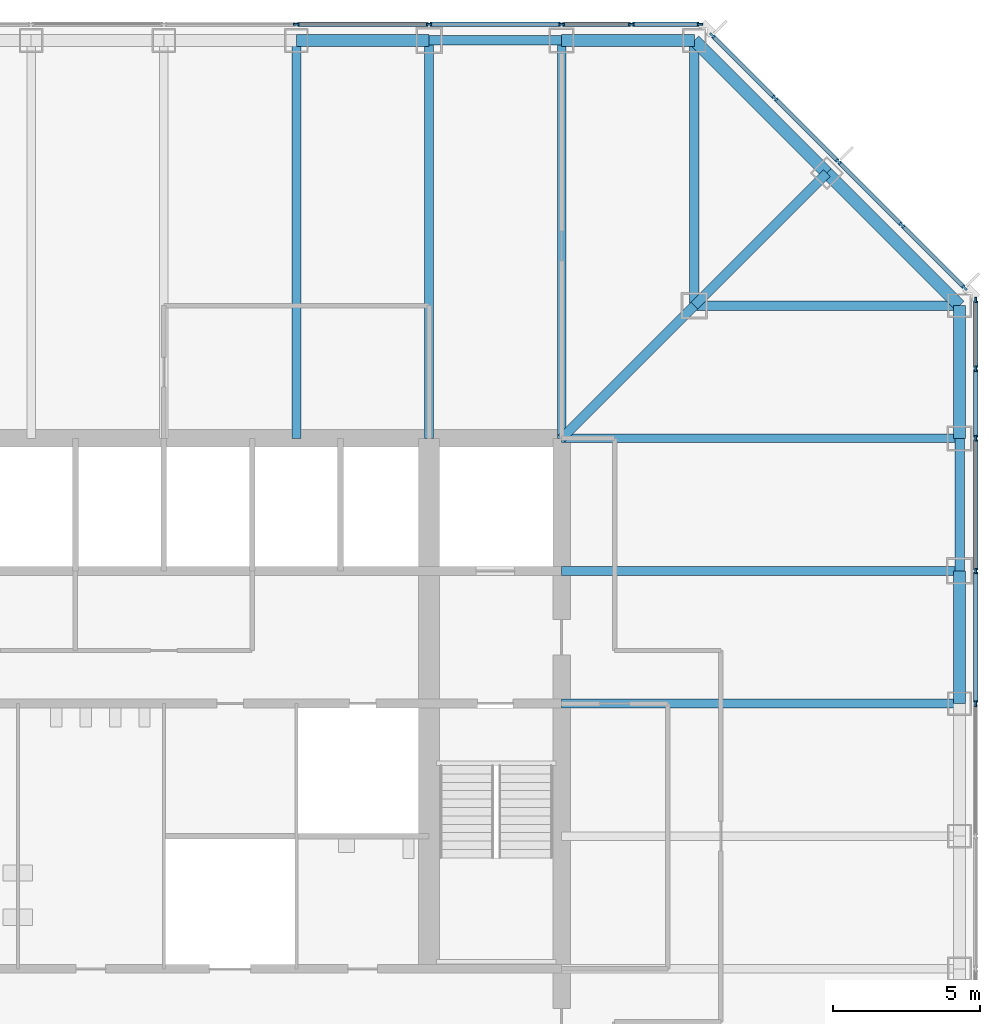
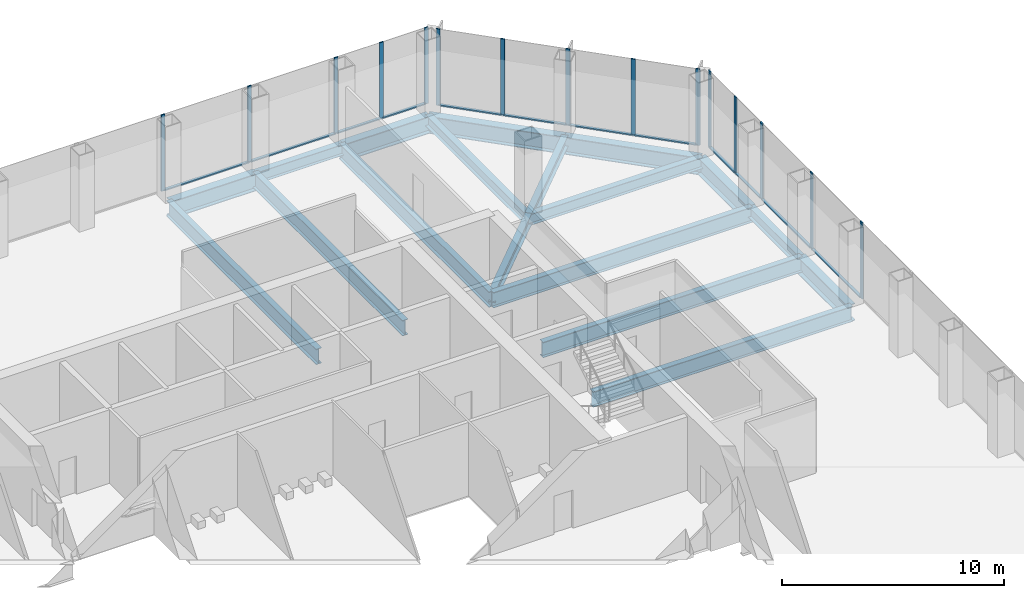
# One storey, part 6 of 13: 27 members, 18 beams, 3 elements without a shape of their own.
"""IFC4 building model written with IfcOpenShell, lengths in metres."""

from ifc_helpers import new_model, si_unit, direction, frame, origin, origin_2d, place, context, subcontext, project, spatial, rectangle, i_section, extrude, material, material_profile, profile_set, type_object, element, aggregate, save


model = new_model("IFC4")

# Units and contexts
model_context = context("Model", 3, precision=1e-05, world=origin(), true_north=direction((0.0, 1.0)))
body_context = subcontext(model_context, "Body", "Model", "MODEL_VIEW")
ifc_project = project(units=[si_unit("LENGTHUNIT", "METRE"), si_unit("AREAUNIT", "SQUARE_METRE"), si_unit("VOLUMEUNIT", "CUBIC_METRE"), si_unit("PLANEANGLEUNIT", "RADIAN"), si_unit("MASSUNIT", "GRAM", prefix="KILO")], contexts=[model_context])

# Site, building, storey
site_placement = place(None, origin())
site = spatial("IfcSite", under=ifc_project, at=site_placement, CompositionType="ELEMENT")
building_placement = place(site_placement, origin())
building = spatial("IfcBuilding", under=site, at=building_placement, Name="Corais Broadcast Tower", CompositionType="ELEMENT")
storey_placement = place(building_placement, frame((0.0, 0.0, 87.800048828125)))
storey = spatial("IfcBuildingStorey", under=building, at=storey_placement, Name="L19", CompositionType="ELEMENT", Elevation=87.800048828125)

# Beams
ifc_material_1 = material(Name="Steel ASTM A572 Grade 50", Category="steel")
ifc_material_profile_1 = material_profile(ifc_material_1, i_section(OverallWidth=0.323974609375, OverallDepth=0.611083984375, WebThickness=0.0126953125, FlangeThickness=0.01904296875, at=origin_2d()), Name="W610x155")
ifc_profile_set_1 = profile_set([ifc_material_profile_1], Name="Steel ASTM A572 Grade 50")
beam_type_1 = type_object("IfcBeamType", Name="Chamfer tie W610x155", PredefinedType="BEAM", material=ifc_profile_set_1)
beam_1_placement = place(storey_placement, frame((49.5, 49.5, -0.465576171875), z_axis=(-0.707106781187, -0.707106781187, 0.0), x_axis=(0.707106781187, -0.707106781187, 0.0)))
element("IfcBeam", 1, at=beam_1_placement, inside=storey, type_object=beam_type_1, Name="B5 M/14 to L/13", PredefinedType="BEAM", context=body_context, shape_type="SweptSolid", body=[
    extrude(i_section(OverallWidth=0.323974609375, OverallDepth=0.611083984375, WebThickness=0.0126953125, FlangeThickness=0.01904296875, at=origin_2d()), origin(), (0.0, 0.0, 1.0), 6.364013671875),
])
ifc_material_2 = material(Name="Steel ASTM A572 Grade 50", Category="steel")
ifc_material_profile_2 = material_profile(ifc_material_2, i_section(OverallWidth=0.323974609375, OverallDepth=0.611083984375, WebThickness=0.0126953125, FlangeThickness=0.01904296875, at=origin_2d()), Name="W610x155")
ifc_profile_set_2 = profile_set([ifc_material_profile_2], Name="Steel ASTM A572 Grade 50")
beam_type_2 = type_object("IfcBeamType", Name="Corner diagonal W610x155", PredefinedType="BEAM", material=ifc_profile_set_2)
beam_2_placement = place(storey_placement, frame((45.0, 45.0, -0.465576171875), z_axis=(-0.707106781187, -0.707106781187, 0.0), x_axis=(0.707106781187, -0.707106781187, 0.0)))
element("IfcBeam", 2, at=beam_2_placement, inside=storey, type_object=beam_type_2, Name="B6 L/13 to K/12", PredefinedType="BEAM", context=body_context, shape_type="SweptSolid", body=[
    extrude(i_section(OverallWidth=0.323974609375, OverallDepth=0.611083984375, WebThickness=0.0126953125, FlangeThickness=0.01904296875, at=origin_2d()), origin(), (0.0, 0.0, 1.0), 6.364013671875),
])
ifc_material_3 = material(Name="Steel ASTM A572 Grade 50", Category="steel")
ifc_material_profile_3 = material_profile(ifc_material_3, i_section(OverallWidth=0.323974609375, OverallDepth=0.611083984375, WebThickness=0.0126953125, FlangeThickness=0.01904296875, at=origin_2d()), Name="W610x155")
ifc_profile_set_3 = profile_set([ifc_material_profile_3], Name="Steel ASTM A572 Grade 50")
beam_type_3 = type_object("IfcBeamType", Name="Corner girder W610x155", PredefinedType="BEAM", material=ifc_profile_set_3)
for number, where, z_axis, x_axis, name in (
    (3, (45.0, 54.0, -0.465576171875), (0.0, -1.0, 0.0), (1.0, 0.0, 0.0), "B4 N/13 to L/13"),
    (4, (54.0, 45.0, -0.465576171875), (-1.0, 0.0, 0.0), (0.0, -1.0, 0.0), "B4 L/15 to L/13"),
):
    element("IfcBeam", number, at=place(storey_placement, frame(where, z_axis=z_axis, x_axis=x_axis)), inside=storey, type_object=beam_type_3, Name=name, PredefinedType="BEAM", context=body_context, shape_type="SweptSolid", body=[
        extrude(i_section(OverallWidth=0.323974609375, OverallDepth=0.611083984375, WebThickness=0.0126953125, FlangeThickness=0.01904296875, at=origin_2d()), origin(), (0.0, 0.0, 1.0), 9.0),
    ])
ifc_material_4 = material(Name="Steel ASTM A572 Grade 50", Category="steel")
ifc_material_profile_4 = material_profile(ifc_material_4, i_section(OverallWidth=0.2939453125, OverallDepth=0.85107421875, WebThickness=0.01611328125, FlangeThickness=0.02685546875, at=origin_2d()), Name="W840x226")
ifc_profile_set_4 = profile_set([ifc_material_profile_4], Name="Steel ASTM A572 Grade 50")
beam_type_4 = type_object("IfcBeamType", Name="Floor beam W840x226", PredefinedType="BEAM", material=ifc_profile_set_4)
for number, where, z_axis, x_axis, name in (
    (5, (31.5, 54.0, -0.58544921875), (0.0, -1.0, 0.0), (1.0, 0.0, 0.0), "B1 N/10 to K/10"),
    (6, (36.0, 54.0, -0.58544921875), (0.0, -1.0, 0.0), (1.0, 0.0, 0.0), "B1 N/11 to K/11"),
    (7, (40.5, 54.0, -0.58544921875), (0.0, -1.0, 0.0), (1.0, 0.0, 0.0), "B1 N/12 to K/12"),
    (8, (54.0, 31.5, -0.58544921875), (-1.0, 0.0, 0.0), (0.0, -1.0, 0.0), "B1 H/15 to H/12"),
    (9, (54.0, 36.0, -0.58544921875), (-1.0, 0.0, 0.0), (0.0, -1.0, 0.0), "B1 J/15 to J/12"),
    (10, (54.0, 40.5, -0.58544921875), (-1.0, 0.0, 0.0), (0.0, -1.0, 0.0), "B1 K/15 to K/12"),
):
    element("IfcBeam", number, at=place(storey_placement, frame(where, z_axis=z_axis, x_axis=x_axis)), inside=storey, type_object=beam_type_4, Name=name, PredefinedType="BEAM", context=body_context, shape_type="SweptSolid", body=[
        extrude(i_section(OverallWidth=0.2939453125, OverallDepth=0.85107421875, WebThickness=0.01611328125, FlangeThickness=0.02685546875, at=origin_2d()), origin(), (0.0, 0.0, 1.0), 13.5),
    ])

# Curtain wall, members
ifc_material_5 = material(Name="Aluminium and glass", Category="aluminium")
curtain_wall_type = type_object("IfcCurtainWallType", Name="Unitised fritted curtain wall CW1", PredefinedType="NOTDEFINED", material=ifc_material_5)
curtain_wall_1_placement = place(storey_placement, origin())
curtain_wall_1 = element("IfcCurtainWall", 11, at=curtain_wall_1_placement, inside=storey, type_object=curtain_wall_type, Name="CW1 curtain wall L19 4", PredefinedType="NOTDEFINED")
ifc_material_6 = material(Name="Aluminium 6063-T6", Category="aluminium")
ifc_material_profile_5 = material_profile(ifc_material_6, rectangle(XDim=0.06494140625, YDim=0.199951171875, at=origin_2d()), Name="Mullion CW1 65x200")
ifc_profile_set_5 = profile_set([ifc_material_profile_5], Name="Aluminium 6063-T6")
member_type_1 = type_object("IfcMemberType", Name="Mullion CW1 65x200", PredefinedType="MULLION", material=ifc_profile_set_5)
member_1_placement = place(storey_placement, frame((31.5, 54.550048828125, 0.0), z_axis=(0.0, 0.0, 1.0), x_axis=(0.0, 1.0, 0.0)))
member_1 = element("IfcMember", 12, at=member_1_placement, type_object=member_type_1, Name="CW1 mullion 7", PredefinedType="MULLION", context=body_context, shape_type="SweptSolid", body=[
    extrude(rectangle(XDim=0.06494140625, YDim=0.199951171875, at=origin_2d()), origin(), (0.0, 0.0, 1.0), 4.199951171875),
])
member_2_placement = place(storey_placement, frame((36.0, 54.550048828125, 0.0), z_axis=(0.0, 0.0, 1.0), x_axis=(0.0, 1.0, 0.0)))
member_2 = element("IfcMember", 13, at=member_2_placement, type_object=member_type_1, Name="CW1 mullion 8", PredefinedType="MULLION", context=body_context, shape_type="SweptSolid", body=[
    extrude(rectangle(XDim=0.06494140625, YDim=0.199951171875, at=origin_2d()), origin(), (0.0, 0.0, 1.0), 4.199951171875),
])
member_3_placement = place(storey_placement, frame((40.5, 54.550048828125, 0.0), z_axis=(0.0, 0.0, 1.0), x_axis=(0.0, 1.0, 0.0)))
member_3 = element("IfcMember", 14, at=member_3_placement, type_object=member_type_1, Name="CW1 mullion 9", PredefinedType="MULLION", context=body_context, shape_type="SweptSolid", body=[
    extrude(rectangle(XDim=0.06494140625, YDim=0.199951171875, at=origin_2d()), origin(), (0.0, 0.0, 1.0), 4.199951171875),
])
member_4_placement = place(storey_placement, frame((42.864013671875, 54.550048828125, 0.0), z_axis=(0.0, 0.0, 1.0), x_axis=(0.0, 1.0, 0.0)))
member_4 = element("IfcMember", 15, at=member_4_placement, type_object=member_type_1, Name="CW1 mullion 10", PredefinedType="MULLION", context=body_context, shape_type="SweptSolid", body=[
    extrude(rectangle(XDim=0.06494140625, YDim=0.199951171875, at=origin_2d()), origin(), (0.0, 0.0, 1.0), 4.199951171875),
])
member_5_placement = place(storey_placement, frame((45.1953125, 54.550048828125, 0.0), z_axis=(0.0, 0.0, 1.0), x_axis=(0.0, 1.0, 0.0)))
member_5 = element("IfcMember", 16, at=member_5_placement, type_object=member_type_1, Name="CW1 mullion 11", PredefinedType="MULLION", context=body_context, shape_type="SweptSolid", body=[
    extrude(rectangle(XDim=0.06494140625, YDim=0.199951171875, at=origin_2d()), origin(), (0.0, 0.0, 1.0), 4.199951171875),
])

curtain_wall_2_placement = place(storey_placement, origin())
curtain_wall_2 = element("IfcCurtainWall", 17, at=curtain_wall_2_placement, inside=storey, type_object=curtain_wall_type, Name="CW1 curtain wall L19 5", PredefinedType="NOTDEFINED")
member_6_placement = place(storey_placement, frame((45.6044921875, 54.17333984375, 0.0), z_axis=(0.0, 0.0, 1.0), x_axis=(0.707106781187, 0.707106781187, 0.0)))
member_6 = element("IfcMember", 18, at=member_6_placement, type_object=member_type_1, Name="CW1 mullion 1", PredefinedType="MULLION", context=body_context, shape_type="SweptSolid", body=[
    extrude(rectangle(XDim=0.06494140625, YDim=0.199951171875, at=origin_2d()), origin(), (0.0, 0.0, 1.0), 4.199951171875),
])
member_7_placement = place(storey_placement, frame((47.735107421875, 52.042724609375, 0.0), z_axis=(0.0, 0.0, 1.0), x_axis=(0.707106781187, 0.707106781187, 0.0)))
member_7 = element("IfcMember", 19, at=member_7_placement, type_object=member_type_1, Name="CW1 mullion 2", PredefinedType="MULLION", context=body_context, shape_type="SweptSolid", body=[
    extrude(rectangle(XDim=0.06494140625, YDim=0.199951171875, at=origin_2d()), origin(), (0.0, 0.0, 1.0), 4.199951171875),
])
member_8_placement = place(storey_placement, frame((49.888916015625, 49.888916015625, 0.0), z_axis=(0.0, 0.0, 1.0), x_axis=(0.707106781187, 0.707106781187, 0.0)))
member_8 = element("IfcMember", 20, at=member_8_placement, type_object=member_type_1, Name="CW1 mullion 3", PredefinedType="MULLION", context=body_context, shape_type="SweptSolid", body=[
    extrude(rectangle(XDim=0.06494140625, YDim=0.199951171875, at=origin_2d()), origin(), (0.0, 0.0, 1.0), 4.199951171875),
])
member_9_placement = place(storey_placement, frame((52.042724609375, 47.735107421875, 0.0), z_axis=(0.0, 0.0, 1.0), x_axis=(0.707106781187, 0.707106781187, 0.0)))
member_9 = element("IfcMember", 21, at=member_9_placement, type_object=member_type_1, Name="CW1 mullion 4", PredefinedType="MULLION", context=body_context, shape_type="SweptSolid", body=[
    extrude(rectangle(XDim=0.06494140625, YDim=0.199951171875, at=origin_2d()), origin(), (0.0, 0.0, 1.0), 4.199951171875),
])
member_10_placement = place(storey_placement, frame((54.17333984375, 45.6044921875, 0.0), z_axis=(0.0, 0.0, 1.0), x_axis=(0.707106781187, 0.707106781187, 0.0)))
member_10 = element("IfcMember", 22, at=member_10_placement, type_object=member_type_1, Name="CW1 mullion 5", PredefinedType="MULLION", context=body_context, shape_type="SweptSolid", body=[
    extrude(rectangle(XDim=0.06494140625, YDim=0.199951171875, at=origin_2d()), origin(), (0.0, 0.0, 1.0), 4.199951171875),
])

curtain_wall_3_placement = place(storey_placement, origin())
curtain_wall_3 = element("IfcCurtainWall", 23, at=curtain_wall_3_placement, inside=storey, type_object=curtain_wall_type, Name="CW1 curtain wall L19 6", PredefinedType="NOTDEFINED")
member_11_placement = place(storey_placement, frame((54.550048828125, 45.1953125, 0.0), z_axis=(0.0, 0.0, 1.0), x_axis=(1.0, 0.0, 0.0)))
member_11 = element("IfcMember", 24, at=member_11_placement, type_object=member_type_1, Name="CW1 mullion 1", PredefinedType="MULLION", context=body_context, shape_type="SweptSolid", body=[
    extrude(rectangle(XDim=0.06494140625, YDim=0.199951171875, at=origin_2d()), origin(), (0.0, 0.0, 1.0), 4.199951171875),
])
member_12_placement = place(storey_placement, frame((54.550048828125, 42.864013671875, 0.0), z_axis=(0.0, 0.0, 1.0), x_axis=(1.0, 0.0, 0.0)))
member_12 = element("IfcMember", 25, at=member_12_placement, type_object=member_type_1, Name="CW1 mullion 2", PredefinedType="MULLION", context=body_context, shape_type="SweptSolid", body=[
    extrude(rectangle(XDim=0.06494140625, YDim=0.199951171875, at=origin_2d()), origin(), (0.0, 0.0, 1.0), 4.199951171875),
])
member_13_placement = place(storey_placement, frame((54.550048828125, 40.5, 0.0), z_axis=(0.0, 0.0, 1.0), x_axis=(1.0, 0.0, 0.0)))
member_13 = element("IfcMember", 26, at=member_13_placement, type_object=member_type_1, Name="CW1 mullion 3", PredefinedType="MULLION", context=body_context, shape_type="SweptSolid", body=[
    extrude(rectangle(XDim=0.06494140625, YDim=0.199951171875, at=origin_2d()), origin(), (0.0, 0.0, 1.0), 4.199951171875),
])
member_14_placement = place(storey_placement, frame((54.550048828125, 36.0, 0.0), z_axis=(0.0, 0.0, 1.0), x_axis=(1.0, 0.0, 0.0)))
member_14 = element("IfcMember", 27, at=member_14_placement, type_object=member_type_1, Name="CW1 mullion 4", PredefinedType="MULLION", context=body_context, shape_type="SweptSolid", body=[
    extrude(rectangle(XDim=0.06494140625, YDim=0.199951171875, at=origin_2d()), origin(), (0.0, 0.0, 1.0), 4.199951171875),
])
member_15_placement = place(storey_placement, frame((54.550048828125, 31.5, 0.0), z_axis=(0.0, 0.0, 1.0), x_axis=(1.0, 0.0, 0.0)))
member_15 = element("IfcMember", 28, at=member_15_placement, type_object=member_type_1, Name="CW1 mullion 5", PredefinedType="MULLION", context=body_context, shape_type="SweptSolid", body=[
    extrude(rectangle(XDim=0.06494140625, YDim=0.199951171875, at=origin_2d()), origin(), (0.0, 0.0, 1.0), 4.199951171875),
])

# Beams
ifc_material_7 = material(Name="Steel ASTM A572 Grade 50", Category="steel")
ifc_material_profile_6 = material_profile(ifc_material_7, i_section(OverallWidth=0.323974609375, OverallDepth=0.611083984375, WebThickness=0.0126953125, FlangeThickness=0.01904296875, at=origin_2d()), Name="W610x155")
ifc_profile_set_6 = profile_set([ifc_material_profile_6], Name="Steel ASTM A572 Grade 50")
beam_type_5 = type_object("IfcBeamType", Name="Pinned spandrel W610x155", PredefinedType="BEAM", material=ifc_profile_set_6)
for number, where, z_axis, x_axis, name in (
    (29, (40.5, 54.0, -0.465576171875), (-1.0, 0.0, 0.0), (0.0, -1.0, 0.0), "SB6 N/12 to N/11"),
    (30, (54.0, 36.0, -0.465576171875), (0.0, 1.0, 0.0), (-1.0, 0.0, 0.0), "SB6 J/15 to K/15"),
):
    element("IfcBeam", number, at=place(storey_placement, frame(where, z_axis=z_axis, x_axis=x_axis)), inside=storey, type_object=beam_type_5, Name=name, PredefinedType="BEAM", context=body_context, shape_type="SweptSolid", body=[
        extrude(i_section(OverallWidth=0.323974609375, OverallDepth=0.611083984375, WebThickness=0.0126953125, FlangeThickness=0.01904296875, at=origin_2d()), origin(), (0.0, 0.0, 1.0), 4.5),
    ])
ifc_material_8 = material(Name="Steel ASTM A572 Grade 50", Category="steel")
ifc_material_profile_7 = material_profile(ifc_material_8, i_section(OverallWidth=0.4189453125, OverallDepth=0.94189453125, WebThickness=0.022216796875, FlangeThickness=0.03662109375, at=origin_2d()), Name="W920x345")
ifc_profile_set_7 = profile_set([ifc_material_profile_7], Name="Steel ASTM A572 Grade 50")
beam_type_6 = type_object("IfcBeamType", Name="Transfer spandrel W920x345", PredefinedType="BEAM", material=ifc_profile_set_7)
for number, where, z_axis, x_axis, name in (
    (31, (36.0, 54.0, -0.631103515625), (-1.0, 0.0, 0.0), (0.0, -1.0, 0.0), "SB4 N/11 to N/10"),
    (32, (45.0, 54.0, -0.631103515625), (-1.0, 0.0, 0.0), (0.0, -1.0, 0.0), "SB4 N/13 to N/12"),
):
    element("IfcBeam", number, at=place(storey_placement, frame(where, z_axis=z_axis, x_axis=x_axis)), inside=storey, type_object=beam_type_6, Name=name, PredefinedType="BEAM", context=body_context, shape_type="SweptSolid", body=[
        extrude(i_section(OverallWidth=0.4189453125, OverallDepth=0.94189453125, WebThickness=0.022216796875, FlangeThickness=0.03662109375, at=origin_2d()), origin(), (0.0, 0.0, 1.0), 4.5),
    ])
beam_3_placement = place(storey_placement, frame((49.5, 49.5, -0.631103515625), z_axis=(-0.707106781187, 0.707106781187, 0.0), x_axis=(-0.707106781187, -0.707106781187, 0.0)))
element("IfcBeam", 33, at=beam_3_placement, inside=storey, type_object=beam_type_6, Name="SB4 M/14 to N/13", PredefinedType="BEAM", context=body_context, shape_type="SweptSolid", body=[
    extrude(i_section(OverallWidth=0.4189453125, OverallDepth=0.94189453125, WebThickness=0.022216796875, FlangeThickness=0.03662109375, at=origin_2d()), origin(), (0.0, 0.0, 1.0), 6.364013671875),
])
for number, where, z_axis, x_axis, name in (
    (34, (54.0, 31.5, -0.631103515625), (0.0, 1.0, 0.0), (-1.0, 0.0, 0.0), "SB4 H/15 to J/15"),
    (35, (54.0, 40.5, -0.631103515625), (0.0, 1.0, 0.0), (-1.0, 0.0, 0.0), "SB4 K/15 to L/15"),
):
    element("IfcBeam", number, at=place(storey_placement, frame(where, z_axis=z_axis, x_axis=x_axis)), inside=storey, type_object=beam_type_6, Name=name, PredefinedType="BEAM", context=body_context, shape_type="SweptSolid", body=[
        extrude(i_section(OverallWidth=0.4189453125, OverallDepth=0.94189453125, WebThickness=0.022216796875, FlangeThickness=0.03662109375, at=origin_2d()), origin(), (0.0, 0.0, 1.0), 4.5),
    ])
beam_4_placement = place(storey_placement, frame((54.0, 45.0, -0.631103515625), z_axis=(-0.707106781187, 0.707106781187, 0.0), x_axis=(-0.707106781187, -0.707106781187, 0.0)))
element("IfcBeam", 36, at=beam_4_placement, inside=storey, type_object=beam_type_6, Name="SB4 L/15 to M/14", PredefinedType="BEAM", context=body_context, shape_type="SweptSolid", body=[
    extrude(i_section(OverallWidth=0.4189453125, OverallDepth=0.94189453125, WebThickness=0.022216796875, FlangeThickness=0.03662109375, at=origin_2d()), origin(), (0.0, 0.0, 1.0), 6.364013671875),
])

# Member
ifc_material_9 = material(Name="Aluminium 6063-T6", Category="aluminium")
ifc_material_profile_8 = material_profile(ifc_material_9, rectangle(XDim=0.139892578125, YDim=0.06494140625, at=origin_2d()), Name="Transom CW1 65x140")
ifc_profile_set_8 = profile_set([ifc_material_profile_8], Name="Aluminium 6063-T6")
member_type_2 = type_object("IfcMemberType", Name="Transom CW1 65x140", PredefinedType="USERDEFINED", material=ifc_profile_set_8)
member_16_placement = place(storey_placement, frame((31.532470703125, 54.550048828125, 0.032470703125), z_axis=(1.0, 0.0, 0.0), x_axis=(0.0, 1.0, 0.0)))
member_16 = element("IfcMember", 37, at=member_16_placement, type_object=member_type_2, Name="CW1 transom 7.1", ObjectType="TRANSOM", PredefinedType="USERDEFINED", context=body_context, shape_type="SweptSolid", body=[
    extrude(rectangle(XDim=0.139892578125, YDim=0.06494140625, at=origin_2d()), origin(), (0.0, 0.0, 1.0), 4.43505859375),
])

member_17_placement = place(storey_placement, frame((36.032470703125, 54.550048828125, 0.032470703125), z_axis=(1.0, 0.0, 0.0), x_axis=(0.0, 1.0, 0.0)))
member_17 = element("IfcMember", 38, at=member_17_placement, type_object=member_type_2, Name="CW1 transom 8.1", ObjectType="TRANSOM", PredefinedType="USERDEFINED", context=body_context, shape_type="SweptSolid", body=[
    extrude(rectangle(XDim=0.139892578125, YDim=0.06494140625, at=origin_2d()), origin(), (0.0, 0.0, 1.0), 4.43505859375),
])

member_18_placement = place(storey_placement, frame((40.532470703125, 54.550048828125, 0.032470703125), z_axis=(1.0, 0.0, 0.0), x_axis=(0.0, 1.0, 0.0)))
member_18 = element("IfcMember", 39, at=member_18_placement, type_object=member_type_2, Name="CW1 transom 9.1", ObjectType="TRANSOM", PredefinedType="USERDEFINED", context=body_context, shape_type="SweptSolid", body=[
    extrude(rectangle(XDim=0.139892578125, YDim=0.06494140625, at=origin_2d()), origin(), (0.0, 0.0, 1.0), 2.298828125),
])

member_19_placement = place(storey_placement, frame((42.896484375, 54.550048828125, 0.032470703125), z_axis=(1.0, 0.0, 0.0), x_axis=(0.0, 1.0, 0.0)))
member_19 = element("IfcMember", 40, at=member_19_placement, type_object=member_type_2, Name="CW1 transom 10.1", ObjectType="TRANSOM", PredefinedType="USERDEFINED", context=body_context, shape_type="SweptSolid", body=[
    extrude(rectangle(XDim=0.139892578125, YDim=0.06494140625, at=origin_2d()), origin(), (0.0, 0.0, 1.0), 2.266357421875),
])

aggregate(curtain_wall_1, [member_1, member_2, member_3, member_4, member_5, member_16, member_17, member_18, member_19])

member_20_placement = place(storey_placement, frame((45.62744140625, 54.150390625, 0.032470703125), z_axis=(0.707106781187, -0.707106781187, 0.0), x_axis=(0.707106781187, 0.707106781187, 0.0)))
member_20 = element("IfcMember", 41, at=member_20_placement, type_object=member_type_2, Name="CW1 transom 1.1", ObjectType="TRANSOM", PredefinedType="USERDEFINED", context=body_context, shape_type="SweptSolid", body=[
    extrude(rectangle(XDim=0.139892578125, YDim=0.06494140625, at=origin_2d()), origin(), (0.0, 0.0, 1.0), 2.9482421875),
])

member_21_placement = place(storey_placement, frame((47.758056640625, 52.019775390625, 0.032470703125), z_axis=(0.707106781187, -0.707106781187, 0.0), x_axis=(0.707106781187, 0.707106781187, 0.0)))
member_21 = element("IfcMember", 42, at=member_21_placement, type_object=member_type_2, Name="CW1 transom 2.1", ObjectType="TRANSOM", PredefinedType="USERDEFINED", context=body_context, shape_type="SweptSolid", body=[
    extrude(rectangle(XDim=0.139892578125, YDim=0.06494140625, at=origin_2d()), origin(), (0.0, 0.0, 1.0), 2.98095703125),
])

member_22_placement = place(storey_placement, frame((49.911865234375, 49.865966796875, 0.032470703125), z_axis=(0.707106781187, -0.707106781187, 0.0), x_axis=(0.707106781187, 0.707106781187, 0.0)))
member_22 = element("IfcMember", 43, at=member_22_placement, type_object=member_type_2, Name="CW1 transom 3.1", ObjectType="TRANSOM", PredefinedType="USERDEFINED", context=body_context, shape_type="SweptSolid", body=[
    extrude(rectangle(XDim=0.139892578125, YDim=0.06494140625, at=origin_2d()), origin(), (0.0, 0.0, 1.0), 2.98095703125),
])

member_23_placement = place(storey_placement, frame((52.065673828125, 47.712158203125, 0.032470703125), z_axis=(0.707106781187, -0.707106781187, 0.0), x_axis=(0.707106781187, 0.707106781187, 0.0)))
member_23 = element("IfcMember", 44, at=member_23_placement, type_object=member_type_2, Name="CW1 transom 4.1", ObjectType="TRANSOM", PredefinedType="USERDEFINED", context=body_context, shape_type="SweptSolid", body=[
    extrude(rectangle(XDim=0.139892578125, YDim=0.06494140625, at=origin_2d()), origin(), (0.0, 0.0, 1.0), 2.9482421875),
])

aggregate(curtain_wall_2, [member_6, member_7, member_8, member_9, member_10, member_20, member_21, member_22, member_23])

member_24_placement = place(storey_placement, frame((54.550048828125, 45.162841796875, 0.032470703125), z_axis=(0.0, -1.0, 0.0), x_axis=(1.0, 0.0, 0.0)))
member_24 = element("IfcMember", 45, at=member_24_placement, type_object=member_type_2, Name="CW1 transom 1.1", ObjectType="TRANSOM", PredefinedType="USERDEFINED", context=body_context, shape_type="SweptSolid", body=[
    extrude(rectangle(XDim=0.139892578125, YDim=0.06494140625, at=origin_2d()), origin(), (0.0, 0.0, 1.0), 2.266357421875),
])

member_25_placement = place(storey_placement, frame((54.550048828125, 42.831298828125, 0.032470703125), z_axis=(0.0, -1.0, 0.0), x_axis=(1.0, 0.0, 0.0)))
member_25 = element("IfcMember", 46, at=member_25_placement, type_object=member_type_2, Name="CW1 transom 2.1", ObjectType="TRANSOM", PredefinedType="USERDEFINED", context=body_context, shape_type="SweptSolid", body=[
    extrude(rectangle(XDim=0.139892578125, YDim=0.06494140625, at=origin_2d()), origin(), (0.0, 0.0, 1.0), 2.298828125),
])

member_26_placement = place(storey_placement, frame((54.550048828125, 40.467529296875, 0.032470703125), z_axis=(0.0, -1.0, 0.0), x_axis=(1.0, 0.0, 0.0)))
member_26 = element("IfcMember", 47, at=member_26_placement, type_object=member_type_2, Name="CW1 transom 3.1", ObjectType="TRANSOM", PredefinedType="USERDEFINED", context=body_context, shape_type="SweptSolid", body=[
    extrude(rectangle(XDim=0.139892578125, YDim=0.06494140625, at=origin_2d()), origin(), (0.0, 0.0, 1.0), 4.43505859375),
])

member_27_placement = place(storey_placement, frame((54.550048828125, 35.967529296875, 0.032470703125), z_axis=(0.0, -1.0, 0.0), x_axis=(1.0, 0.0, 0.0)))
member_27 = element("IfcMember", 48, at=member_27_placement, type_object=member_type_2, Name="CW1 transom 4.1", ObjectType="TRANSOM", PredefinedType="USERDEFINED", context=body_context, shape_type="SweptSolid", body=[
    extrude(rectangle(XDim=0.139892578125, YDim=0.06494140625, at=origin_2d()), origin(), (0.0, 0.0, 1.0), 4.43505859375),
])

aggregate(curtain_wall_3, [member_11, member_12, member_13, member_14, member_15, member_24, member_25, member_26, member_27])

save(model, "model.ifc")
